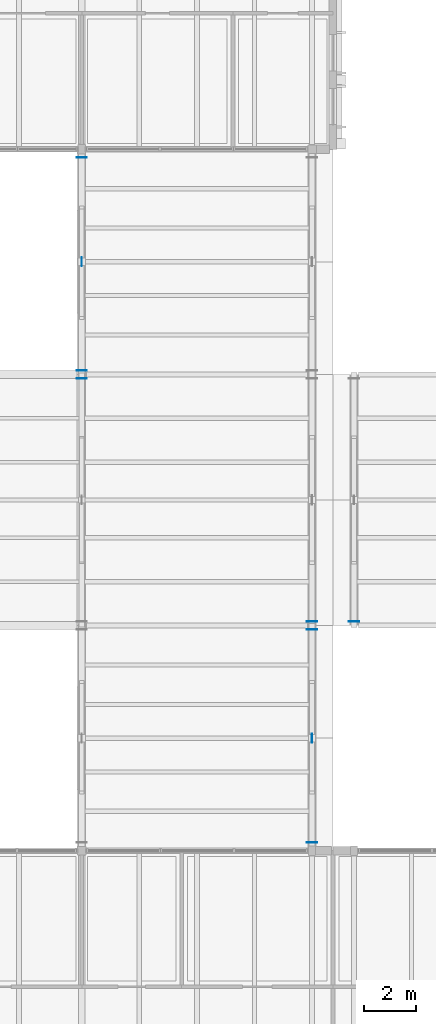
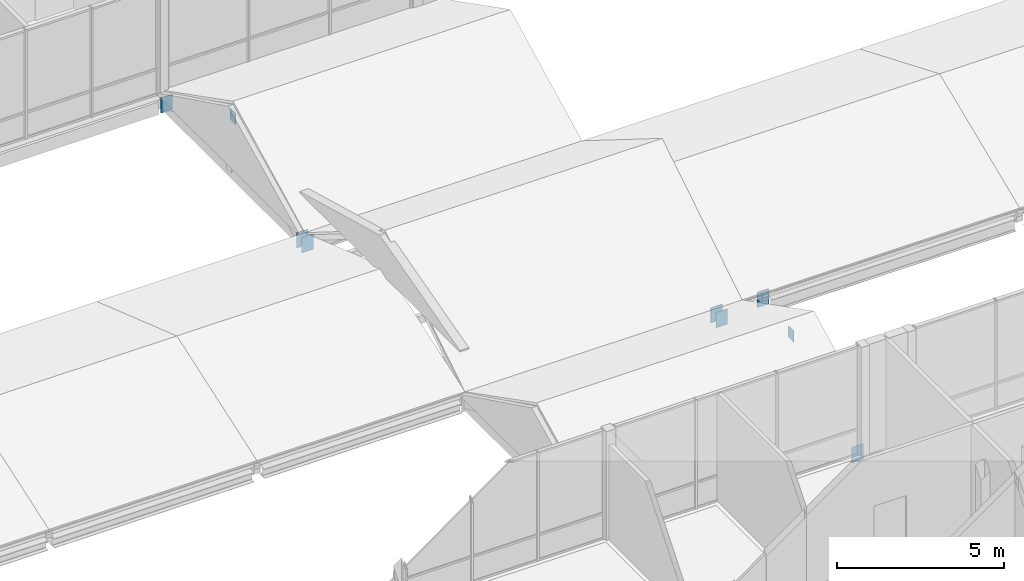
# One storey, part 76 of 115: 9 plates.
"""IFC4 building model written with IfcOpenShell, lengths in metres."""

from ifc_helpers import new_model, si_unit, direction, frame, origin, origin_2d, place, context, subcontext, project, spatial, rectangle, extrude, material, layer, layer_set, type_object, element, save


model = new_model("IFC4")

# Units and contexts
model_context = context("Model", 3, precision=1e-05, world=origin(), true_north=direction((0.0, 1.0)))
body_context = subcontext(model_context, "Body", "Model", "MODEL_VIEW")
ifc_project = project(units=[si_unit("LENGTHUNIT", "METRE"), si_unit("AREAUNIT", "SQUARE_METRE"), si_unit("VOLUMEUNIT", "CUBIC_METRE"), si_unit("PLANEANGLEUNIT", "RADIAN"), si_unit("MASSUNIT", "GRAM", prefix="KILO")], contexts=[model_context])

# Site, building, storey
site_placement = place(None, origin())
site = spatial("IfcSite", under=ifc_project, at=site_placement, CompositionType="ELEMENT")
building_placement = place(site_placement, origin())
building = spatial("IfcBuilding", under=site, at=building_placement, Name="Hawrajan Terrace Health Centre", CompositionType="ELEMENT")
storey_placement = place(building_placement, frame((0.0, 0.0, 9.0)))
storey = spatial("IfcBuildingStorey", under=building, at=storey_placement, Name="L02", CompositionType="ELEMENT", Elevation=9.0)

# Plates
ifc_material = material(Name="Steel S355", Category="steel")
ifc_layer_1 = layer(ifc_material, 0.02001953125)
ifc_layer_set_1 = layer_set([ifc_layer_1], Name="Steel S355")
plate_type_1 = type_object("IfcPlateType", Name="HoldDownShoe_S355_20", PredefinedType="SHEET", material=ifc_layer_set_1)
for number, where, z_axis, x_axis, name in (
    (1, (62.199951171875, 36.64990234375, -0.5), (0.0, 0.0, 1.0), (1.0, 0.0, 0.0), "Pinned uplift hold-down shoe W-G09-TRS-SHOE-N"),
    (2, (71.0, 18.909912109375, -0.5), (0.0, 0.0, 1.0), (1.0, 0.0, 0.0), "Pinned uplift hold-down shoe W-G10-TRL-SC-SHOE-S"),
    (3, (71.0, 27.050048828125, -0.5), (0.0, 0.0, 1.0), (1.0, 0.0, 0.0), "Pinned uplift hold-down shoe W-G10-TRL-SC-SHOE-N"),
    (4, (71.0, 27.35009765625, -0.5), (0.0, 0.0, 1.0), (1.0, 0.0, 0.0), "Pinned uplift hold-down shoe W-G10-TRL-M-SHOE-S"),
    (5, (62.199951171875, 36.949951171875, -0.5), (0.0, 0.0, 1.0), (1.0, 0.0, 0.0), "Pinned uplift hold-down shoe W-G09-TRL-NC-SHOE-S"),
    (6, (62.199951171875, 45.090087890625, -0.5), (0.0, 0.0, 1.0), (1.0, 0.0, 0.0), "Pinned uplift hold-down shoe W-G09-TRL-NC-SHOE-N"),
    (7, (72.60009765625, 27.35009765625, -0.5), (0.0, 0.0, 1.0), (1.0, 0.0, 0.0), "Pinned uplift hold-down shoe C-G10-TRM-SHOE-S"),
):
    element("IfcPlate", number, at=place(storey_placement, frame(where, z_axis=z_axis, x_axis=x_axis)), inside=storey, type_object=plate_type_1, Name=name, PredefinedType="SHEET", context=body_context, shape_type="SweptSolid", body=[
        extrude(rectangle(XDim=0.39990234375, YDim=0.02001953125, at=origin_2d()), origin(), (0.0, 0.0, 1.0), 0.56005859375),
    ])
ifc_layer_2 = layer(ifc_material, 0.011962890625)
ifc_layer_set_2 = layer_set([ifc_layer_2], Name="Steel S355")
plate_type_2 = type_object("IfcPlateType", Name="KnifePlate_S355_12", PredefinedType="SHEET", material=ifc_layer_set_2)
for number, where, z_axis, x_axis, name in (
    (8, (71.0, 22.89990234375, 1.51708984375), (0.0, 0.0, 1.0), (1.0, 0.0, 0.0), "Slotted steel apex knife plate W-G10-TRL-SC"),
    (9, (62.199951171875, 41.10009765625, 1.520751953125), (0.0, 0.0, 1.0), (1.0, 0.0, 0.0), "Slotted steel apex knife plate W-G09-TRL-NC"),
):
    element("IfcPlate", number, at=place(storey_placement, frame(where, z_axis=z_axis, x_axis=x_axis)), inside=storey, type_object=plate_type_2, Name=name, PredefinedType="SHEET", context=body_context, shape_type="SweptSolid", body=[
        extrude(rectangle(XDim=0.011962890625, YDim=0.340087890625, at=origin_2d()), origin(), (0.0, 0.0, 1.0), 0.419921875),
    ])

save(model, "model.ifc")
